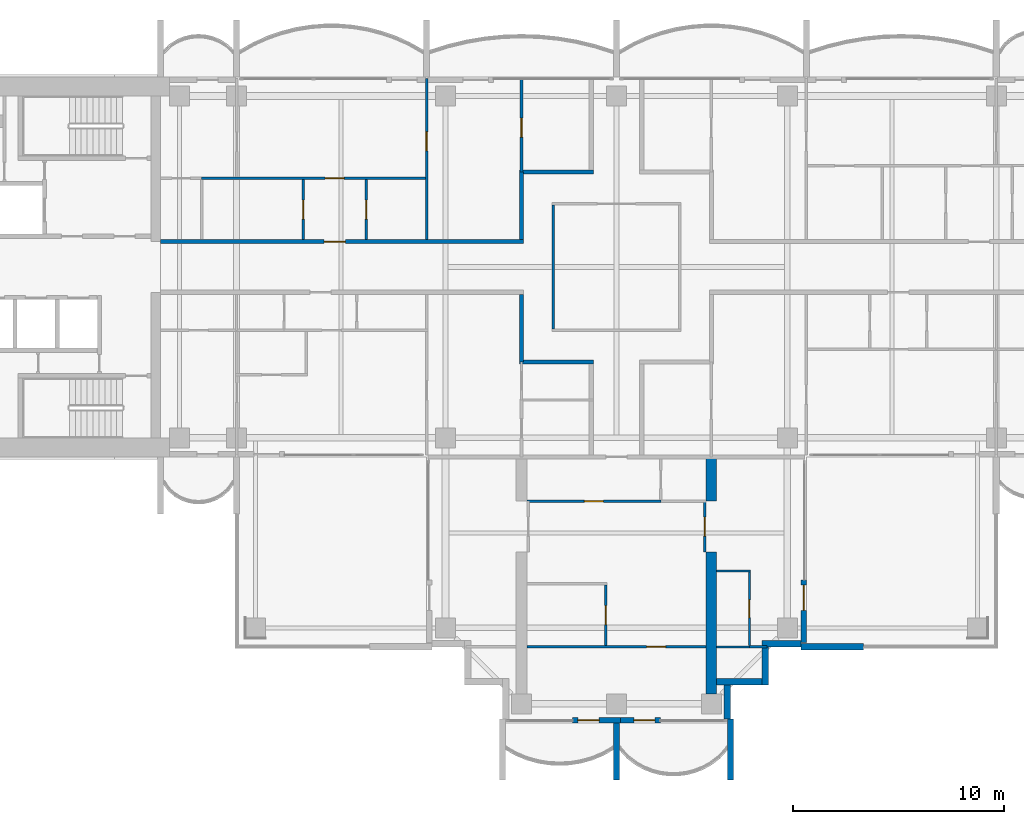
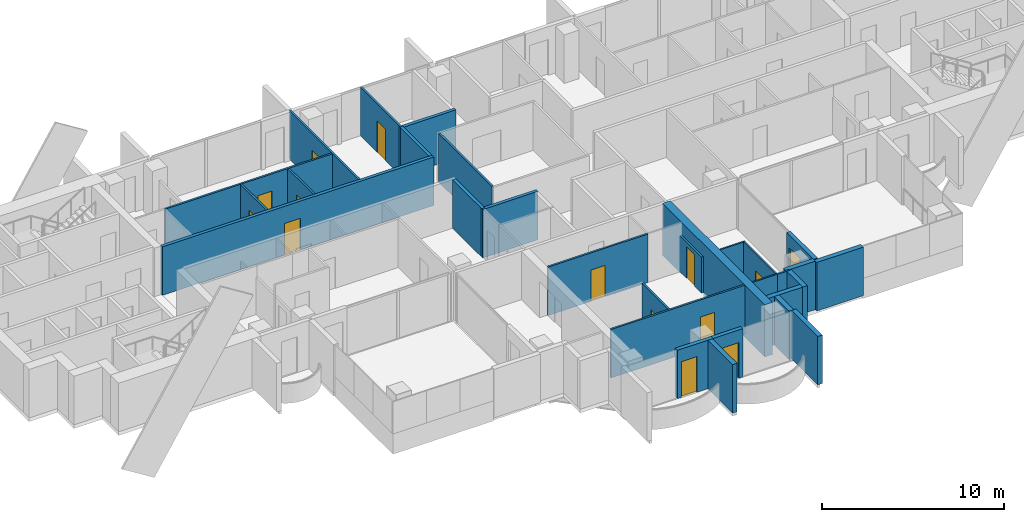
# One storey, part 10 of 17: 30 walls, 14 doors, 14 openings.
"""IFC4 building model written with IfcOpenShell, lengths in metres."""

import ifcopenshell
import ifcopenshell.guid

model = None  # the IFC model being written
_history = None  # IfcOwnerHistory: only IFC2X3 demands one
_inside = {}  # id of a spatial element -> (the spatial element, [elements in it])
_under = {}  # id of a project, library or spatial element -> (it, [spatial elements below it])
_declared = {}  # id of a project -> (the project, [libraries it declares])
_typed = {}  # id of a type object -> (the type object, [elements of that type])
_made_of = {}  # id of a material, layer set ... -> (it, [elements and type objects made of it])


def new_model(schema):
    """Start an empty IFC model of exactly this schema.

    Asked for "IFC4X3", IfcOpenShell would pick the latest addendum, in which some entities
    have other attributes; the version numbers below select the first issue.
    IFC2X3 requires an IfcOwnerHistory on every rooted entity: one is made here for all.
    """
    global model, _history
    if schema == "IFC4X3":
        model = ifcopenshell.file(schema_version=(4, 3, 0, 0))
    else:
        model = ifcopenshell.file(schema=schema)
    _inside.clear()
    _under.clear()
    _declared.clear()
    _typed.clear()
    _made_of.clear()
    _history = None
    if model.schema == "IFC2X3":
        org = make("IfcOrganization", Name="unknown")
        user = make(
            "IfcPersonAndOrganization",
            ThePerson=make("IfcPerson", FamilyName="unknown"),
            TheOrganization=org,
        )
        app = make(
            "IfcApplication",
            ApplicationDeveloper=org,
            Version="unknown",
            ApplicationFullName="unknown",
            ApplicationIdentifier="unknown",
        )
        _history = make(
            "IfcOwnerHistory",
            OwningUser=user,
            OwningApplication=app,
            ChangeAction="ADDED",
            CreationDate=0,
        )
    return model


def make(cls, **values):
    """One entity of the class cls with the attributes given. An attribute that is None is left unset."""
    return model.create_entity(
        cls, **{name: value for name, value in values.items() if value is not None}
    )


def rooted(cls, **values):
    """An entity with a GlobalId (a new one), such as an element, a storey or a relation."""
    return make(cls, GlobalId=ifcopenshell.guid.new(), OwnerHistory=_history, **values)


def si_unit(unit_type, name, prefix=None):
    """IfcSIUnit, for example si_unit("LENGTHUNIT", "METRE", prefix="MILLI")."""
    return make("IfcSIUnit", UnitType=unit_type, Prefix=prefix, Name=name)


def assignment(units):
    """IfcUnitAssignment: the units of a project."""
    return None if units is None else make("IfcUnitAssignment", Units=units)


def point(xyz):
    """IfcCartesianPoint."""
    return None if xyz is None else make("IfcCartesianPoint", Coordinates=xyz)


def direction(xyz):
    """IfcDirection."""
    return None if xyz is None else make("IfcDirection", DirectionRatios=xyz)


def frame(location, z_axis=None, x_axis=None):
    """IfcAxis2Placement3D, a coordinate frame: its origin and axes. An axis left out is left unset."""
    return make(
        "IfcAxis2Placement3D",
        Location=point(location),
        Axis=direction(z_axis),
        RefDirection=direction(x_axis),
    )


def frame_2d(location, x_axis=None):
    """IfcAxis2Placement2D, a coordinate frame in the plane: its origin and x axis."""
    return make(
        "IfcAxis2Placement2D", Location=point(location), RefDirection=direction(x_axis)
    )


def origin():
    """The frame at (0, 0, 0) with its axes left unset."""
    return frame((0.0, 0.0, 0.0))


def place(relative_to, where):
    """IfcLocalPlacement: puts the frame where relative to a parent placement (None: the world)."""
    return make(
        "IfcLocalPlacement", PlacementRelTo=relative_to, RelativePlacement=where
    )


def context(
    kind, dimensions, precision=None, world=None, true_north=None, identifier=None
):
    """IfcGeometricRepresentationContext, for example the 3D "Model" context."""
    return make(
        "IfcGeometricRepresentationContext",
        ContextIdentifier=identifier,
        ContextType=kind,
        CoordinateSpaceDimension=dimensions,
        Precision=precision,
        WorldCoordinateSystem=world,
        TrueNorth=true_north,
    )


def subcontext(parent, identifier, kind, view, scale=None):
    """IfcGeometricRepresentationSubContext, for example "Body" below "Model"."""
    return make(
        "IfcGeometricRepresentationSubContext",
        ContextIdentifier=identifier,
        ContextType=kind,
        ParentContext=parent,
        TargetScale=scale,
        TargetView=view,
    )


def project(units=None, contexts=None):
    """IfcProject with its units and contexts."""
    return rooted(
        "IfcProject",
        Name="project",
        RepresentationContexts=contexts,
        UnitsInContext=assignment(units),
    )


def spatial(cls, under=None, at=None, **own):
    """A site, building, storey or space (cls), placed at a placement, below another one or the project."""
    s = rooted(cls, ObjectPlacement=at, **own)
    if under is not None:
        _under.setdefault(under.id(), (under, []))[1].append(s)
    return s


def polyline(points):
    """IfcPolyline through the points."""
    return make("IfcPolyline", Points=[point(p) for p in points])


def profile(cls, at=None, kind="AREA", **sizes):
    """A parametric profile (cls). Its sizes go by their IFC names, for example OverallWidth=200.0."""
    return make(cls, ProfileType=kind, Position=at, **sizes)


def rectangle(**sizes):
    """IfcRectangleProfileDef."""
    return profile("IfcRectangleProfileDef", **sizes)


def outline(outer, holes=None, kind="AREA"):
    """IfcArbitraryClosedProfileDef: a profile drawn as a closed curve; with holes, ...WithVoids."""
    if holes is None:
        return make("IfcArbitraryClosedProfileDef", ProfileType=kind, OuterCurve=outer)
    return make(
        "IfcArbitraryProfileDefWithVoids",
        ProfileType=kind,
        OuterCurve=outer,
        InnerCurves=holes,
    )


def extrude(swept, where, along, depth):
    """IfcExtrudedAreaSolid: the profile swept, set in the frame where, extruded along a direction by depth."""
    return make(
        "IfcExtrudedAreaSolid",
        SweptArea=swept,
        Position=where,
        ExtrudedDirection=direction(along),
        Depth=depth,
    )


def shape(context_of_items, identifier, shape_type, items):
    """IfcShapeRepresentation: the items that make up one representation, for example the "Body"."""
    return make(
        "IfcShapeRepresentation",
        ContextOfItems=context_of_items,
        RepresentationIdentifier=identifier,
        RepresentationType=shape_type,
        Items=items,
    )


def material(Name=None, Category=None):
    """IfcMaterial."""
    return make("IfcMaterial", Name=Name, Category=Category)


def layer(
    of_material, thickness, ventilated=None, Name=None, Category=None, Priority=None
):
    """IfcMaterialLayer: one layer of a wall or slab, of a material (None: an air gap)."""
    return make(
        "IfcMaterialLayer",
        Material=of_material,
        LayerThickness=thickness,
        IsVentilated=ventilated,
        Name=Name,
        Category=Category,
        Priority=Priority,
    )


def layer_set(layers, Name=None):
    """IfcMaterialLayerSet."""
    return make("IfcMaterialLayerSet", MaterialLayers=layers, LayerSetName=Name)


def material_profile(
    of_material, cross_section, Name=None, Category=None, Priority=None
):
    """IfcMaterialProfile: a cross section and its material."""
    return make(
        "IfcMaterialProfile",
        Name=Name,
        Material=of_material,
        Profile=cross_section,
        Priority=Priority,
        Category=Category,
    )


def profile_set(profiles, Name=None, composite=None):
    """IfcMaterialProfileSet."""
    return make(
        "IfcMaterialProfileSet",
        Name=Name,
        MaterialProfiles=profiles,
        CompositeProfile=composite,
    )


def made_of(thing, what):
    """Note that an element or type object is made of a material, layer set ...; save() writes the relation."""
    if what is not None:
        _made_of.setdefault(what.id(), (what, []))[1].append(thing)
    return thing


def type_object(cls, material=None, **own):
    """A type object (cls), such as IfcWallType, which elements share."""
    return made_of(rooted(cls, **own), material)


def element(
    cls,
    number,
    at=None,
    inside=None,
    cuts=None,
    type_object=None,
    material=None,
    context=None,
    identifier="Body",
    shape_type=None,
    held_by="IfcProductDefinitionShape",
    body=None,
    shapes=None,
    **own,
):
    """One element of the class cls, such as IfcWall. Its Tag is "e" and its number.

    at: its placement. inside: the storey or other place that contains it. cuts: it is an
    opening in that element (IfcRelVoidsElement). A single representation is given by context,
    identifier, shape_type and body (its items); several are given by shapes. held_by: the class
    of the entity that holds the representations. save() writes the other relations.
    """
    e = rooted(cls, Tag="e%d" % number, ObjectPlacement=at, **own)
    if body is not None:
        shapes = [shape(context, identifier, shape_type, body)]
    if shapes is not None:
        e.Representation = make(held_by, Representations=shapes)
    if inside is not None:
        _inside.setdefault(inside.id(), (inside, []))[1].append(e)
    if cuts is not None:
        rooted(
            "IfcRelVoidsElement", RelatingBuildingElement=cuts, RelatedOpeningElement=e
        )
    if type_object is not None:
        _typed.setdefault(type_object.id(), (type_object, []))[1].append(e)
    return made_of(e, material)


def fill(opening, filler):
    """IfcRelFillsElement: the door or window that sits in an opening."""
    return rooted(
        "IfcRelFillsElement",
        RelatingOpeningElement=opening,
        RelatedBuildingElement=filler,
    )


def aggregate(whole, parts):
    """IfcRelAggregates: a whole, such as a stair, and the parts it consists of."""
    return rooted("IfcRelAggregates", RelatingObject=whole, RelatedObjects=parts)


def save(model, path):
    """Write the relations noted so far, then the file.

    IfcRelAggregates (storeys below a building ...), IfcRelContainedInSpatialStructure (elements
    in a storey), IfcRelDefinesByType, IfcRelAssociatesMaterial and IfcRelDeclares: one each for
    every whole, place, type object, material and project.
    """
    for whole, parts in _under.values():
        aggregate(whole, parts)
    for where, things in _inside.values():
        rooted(
            "IfcRelContainedInSpatialStructure",
            RelatedElements=things,
            RelatingStructure=where,
        )
    for kind, things in _typed.values():
        rooted("IfcRelDefinesByType", RelatedObjects=things, RelatingType=kind)
    for what, things in _made_of.values():
        rooted("IfcRelAssociatesMaterial", RelatedObjects=things, RelatingMaterial=what)
    for by, libraries in _declared.values():
        rooted("IfcRelDeclares", RelatingContext=by, RelatedDefinitions=libraries)
    model.write(path)


model = new_model("IFC4")

# Units and contexts
model_context = context("Model", 3, precision=1e-05, world=origin(), true_north=direction((0.0, 1.0)))
body_context = subcontext(model_context, "Body", "Model", "MODEL_VIEW")
ifc_project = project(units=[si_unit("LENGTHUNIT", "METRE"), si_unit("AREAUNIT", "SQUARE_METRE"), si_unit("VOLUMEUNIT", "CUBIC_METRE"), si_unit("PLANEANGLEUNIT", "RADIAN"), si_unit("MASSUNIT", "GRAM", prefix="KILO")], contexts=[model_context])

# Site, building, storey
site_placement = place(None, origin())
site = spatial("IfcSite", under=ifc_project, at=site_placement, CompositionType="ELEMENT")
building_placement = place(site_placement, origin())
building = spatial("IfcBuilding", under=site, at=building_placement, Name="Perihelion Cross Residences", CompositionType="ELEMENT")
storey_placement = place(building_placement, frame((0.0, 0.0, 198.10009765625)))
storey = spatial("IfcBuildingStorey", under=building, at=storey_placement, Name="L49", CompositionType="ELEMENT", Elevation=198.10009765625)

# Wall, opening, door
ifc_material_1 = material(Name="Plasterboard partition")
ifc_layer_1 = layer(ifc_material_1, 0.199951171875)
ifc_layer_set_1 = layer_set([ifc_layer_1], Name="Apartment separation wall 200")
wall_type_1 = type_object("IfcWallType", Name="Apartment separation wall 200", PredefinedType="PARTITIONING", material=ifc_layer_set_1)
wall_1_placement = place(storey_placement, frame((-21.60009765625, 1.199951171875, 0.0), z_axis=(0.0, 0.0, 1.0), x_axis=(1.0, 0.0, 0.0)))
wall_1 = element("IfcWall", 1, at=wall_1_placement, inside=storey, type_object=wall_type_1, Name="Partition L49 W013", PredefinedType="PARTITIONING", context=body_context, shape_type="SweptSolid", body=[
    extrude(rectangle(XDim=17.2001953125, YDim=0.199951171875, at=frame_2d((8.60009765625, 0.0))), origin(), (0.0, 0.0, 1.0), 3.25),
])
opening_1_placement = place(wall_1_placement, frame((7.75, 0.0, 0.0)))
opening_1 = element("IfcOpeningElement", 2, at=opening_1_placement, cuts=wall_1, Name="Opening L49.A40", PredefinedType="OPENING", context=body_context, shape_type="SweptSolid", body=[
    extrude(rectangle(XDim=1.0, YDim=2.10009765625, at=frame_2d((0.5, 1.050048828125))), frame((0.0, 0.10986328125, 0.0), z_axis=(0.0, -1.0, 0.0), x_axis=(1.0, 0.0, 0.0)), (0.0, 0.0, 1.0), 0.219970703125),
])
ifc_material_2 = material(Name="Timber door leaf", Category="wood")
door_type_1 = type_object("IfcDoorType", Name="Flat entrance door 1000 x 2100", OperationType="SINGLE_SWING_LEFT", PredefinedType="DOOR", material=ifc_material_2)
door_1_placement = place(opening_1_placement, origin())
door_1 = element("IfcDoor", 3, at=door_1_placement, inside=storey, type_object=door_type_1, Name="Door L49.A40", OperationType="SINGLE_SWING_RIGHT", OverallHeight=2.10009765625, OverallWidth=1.0, PredefinedType="DOOR", context=body_context, shape_type="SweptSolid", body=[
    extrude(rectangle(XDim=1.0, YDim=2.10009765625, at=frame_2d((0.5, 1.050048828125))), frame((0.0, 0.02490234375, 0.0), z_axis=(0.0, -1.0, 0.0), x_axis=(1.0, 0.0, 0.0)), (0.0, 0.0, 1.0), 0.050048828125),
])
fill(opening_1, door_1)

# Walls
wall_2_placement = place(storey_placement, frame((-4.5, 1.300048828125, 0.0), z_axis=(0.0, 0.0, 1.0), x_axis=(0.0, 1.0, 0.0)))
element("IfcWall", 4, at=wall_2_placement, inside=storey, type_object=wall_type_1, Name="Partition L49 W014", PredefinedType="PARTITIONING", context=body_context, shape_type="SweptSolid", body=[
    extrude(rectangle(XDim=3.199951171875, YDim=0.199951171875, at=frame_2d((1.60009765625, 0.0))), origin(), (0.0, 0.0, 1.0), 3.25),
])
wall_3_placement = place(storey_placement, frame((-4.60009765625, 4.5, 0.0), z_axis=(0.0, 0.0, 1.0), x_axis=(1.0, 0.0, 0.0)))
element("IfcWall", 5, at=wall_3_placement, inside=storey, type_object=wall_type_1, Name="Partition L49 W015", PredefinedType="PARTITIONING", context=body_context, shape_type="SweptSolid", body=[
    extrude(rectangle(XDim=3.5, YDim=0.199951171875, at=frame_2d((1.75, 0.0))), origin(), (0.0, 0.0, 1.0), 3.25),
])
wall_4_placement = place(storey_placement, frame((-4.5, -4.5, 0.0), z_axis=(0.0, 0.0, 1.0), x_axis=(0.0, 1.0, 0.0)))
element("IfcWall", 6, at=wall_4_placement, inside=storey, type_object=wall_type_1, Name="Partition L49 W018", PredefinedType="PARTITIONING", context=body_context, shape_type="SweptSolid", body=[
    extrude(rectangle(XDim=3.199951171875, YDim=0.199951171875, at=frame_2d((1.60009765625, 0.0))), origin(), (0.0, 0.0, 1.0), 3.25),
])
wall_5_placement = place(storey_placement, frame((-1.10009765625, -4.5, 0.0), z_axis=(0.0, 0.0, 1.0), x_axis=(-1.0, 0.0, 0.0)))
element("IfcWall", 7, at=wall_5_placement, inside=storey, type_object=wall_type_1, Name="Partition L49 W020", PredefinedType="PARTITIONING", context=body_context, shape_type="SweptSolid", body=[
    extrude(rectangle(XDim=3.5, YDim=0.199951171875, at=frame_2d((1.75, 0.0))), origin(), (0.0, 0.0, 1.0), 3.25),
])

# Wall, opening, door
ifc_material_3 = material(Name="Concrete C30/37, bronze-clad", Category="concrete")
ifc_layer_2 = layer(ifc_material_3, 0.25)
ifc_layer_set_2 = layer_set([ifc_layer_2], Name="Bronze-clad pier wall 250")
wall_type_2 = type_object("IfcWallType", Name="Bronze-clad pier wall 250", PredefinedType="SOLIDWALL", material=ifc_layer_set_2)
wall_6_placement = place(storey_placement, frame((-2.074951171875, -21.47509765625, 0.0), z_axis=(0.0, 0.0, 1.0), x_axis=(1.0, 0.0, 0.0)))
wall_6 = element("IfcWall", 8, at=wall_6_placement, inside=storey, type_object=wall_type_2, Name="Wall FW1 L49 south tip south bay 1 pier", PredefinedType="SOLIDWALL", context=body_context, shape_type="SweptSolid", body=[
    extrude(rectangle(XDim=2.27490234375, YDim=0.25, at=frame_2d((1.137451171875, 0.0))), origin(), (0.0, 0.0, 1.0), 3.25),
])
opening_2_placement = place(wall_6_placement, frame((0.25, 0.0, 0.0)))
opening_2 = element("IfcOpeningElement", 9, at=opening_2_placement, cuts=wall_6, Name="Opening L49.E10", PredefinedType="OPENING", context=body_context, shape_type="SweptSolid", body=[
    extrude(rectangle(XDim=1.0, YDim=2.39990234375, at=frame_2d((0.5, 1.199951171875))), frame((0.0, 0.135009765625, 0.0), z_axis=(0.0, -1.0, 0.0), x_axis=(1.0, 0.0, 0.0)), (0.0, 0.0, 1.0), 0.27001953125),
])
ifc_material_4 = material(Name="Bronze anodised aluminium, glazed", Category="aluminium")
door_type_2 = type_object("IfcDoorType", Name="Balcony door 1000 x 2400", OperationType="NOTDEFINED", PredefinedType="DOOR", material=ifc_material_4)
door_2_placement = place(opening_2_placement, origin())
door_2 = element("IfcDoor", 10, at=door_2_placement, inside=storey, type_object=door_type_2, Name="Door L49.E10 south tip south bay 1", OperationType="SINGLE_SWING_RIGHT", OverallHeight=2.39990234375, OverallWidth=1.0, PredefinedType="DOOR", context=body_context, shape_type="SweptSolid", body=[
    extrude(rectangle(XDim=1.0, YDim=2.39990234375, at=frame_2d((0.5, 1.199951171875))), frame((0.0, 0.02490234375, 0.0), z_axis=(0.0, -1.0, 0.0), x_axis=(1.0, 0.0, 0.0)), (0.0, 0.0, 1.0), 0.050048828125),
])
fill(opening_2, door_2)

wall_7_placement = place(storey_placement, frame((0.199951171875, -21.47509765625, 0.0), z_axis=(0.0, 0.0, 1.0), x_axis=(1.0, 0.0, 0.0)))
wall_7 = element("IfcWall", 11, at=wall_7_placement, inside=storey, type_object=wall_type_2, Name="Wall FW1 L49 south tip south bay 2 pier", PredefinedType="SOLIDWALL", context=body_context, shape_type="SweptSolid", body=[
    extrude(rectangle(XDim=1.875, YDim=0.25, at=frame_2d((0.9375, 0.0))), origin(), (0.0, 0.0, 1.0), 3.25),
])
opening_3_placement = place(wall_7_placement, frame((0.625, 0.0, 0.0)))
opening_3 = element("IfcOpeningElement", 12, at=opening_3_placement, cuts=wall_7, Name="Opening L49.E11", PredefinedType="OPENING", context=body_context, shape_type="SweptSolid", body=[
    extrude(rectangle(XDim=1.0, YDim=2.39990234375, at=frame_2d((0.5, 1.199951171875))), frame((0.0, 0.135009765625, 0.0), z_axis=(0.0, -1.0, 0.0), x_axis=(1.0, 0.0, 0.0)), (0.0, 0.0, 1.0), 0.27001953125),
])
door_3_placement = place(opening_3_placement, origin())
door_3 = element("IfcDoor", 13, at=door_3_placement, inside=storey, type_object=door_type_2, Name="Door L49.E11 south tip south bay 2", OperationType="SINGLE_SWING_LEFT", OverallHeight=2.39990234375, OverallWidth=1.0, PredefinedType="DOOR", context=body_context, shape_type="SweptSolid", body=[
    extrude(rectangle(XDim=1.0, YDim=2.39990234375, at=frame_2d((0.5, 1.199951171875))), frame((0.0, 0.02490234375, 0.0), z_axis=(0.0, -1.0, 0.0), x_axis=(1.0, 0.0, 0.0)), (0.0, 0.0, 1.0), 0.050048828125),
])
fill(opening_3, door_3)

wall_8_placement = place(storey_placement, frame((8.875, -17.800048828125, 0.0), z_axis=(0.0, 0.0, 1.0), x_axis=(0.0, 1.0, 0.0)))
wall_8 = element("IfcWall", 14, at=wall_8_placement, inside=storey, type_object=wall_type_2, Name="Wall FW1 L49 south side east bay 1 pier", PredefinedType="SOLIDWALL", context=body_context, shape_type="SweptSolid", body=[
    extrude(rectangle(XDim=2.97509765625, YDim=0.25, at=frame_2d((1.487548828125, 0.0))), origin(), (0.0, 0.0, 1.0), 3.25),
])
opening_4_placement = place(wall_8_placement, frame((1.52490234375, 0.0, 0.0)))
opening_4 = element("IfcOpeningElement", 15, at=opening_4_placement, cuts=wall_8, Name="Opening L49.E12", PredefinedType="OPENING", context=body_context, shape_type="SweptSolid", body=[
    extrude(rectangle(XDim=1.199951171875, YDim=2.39990234375, at=frame_2d((0.60009765625, 1.199951171875))), frame((0.0, 0.135009765625, 0.0), z_axis=(0.0, -1.0, 0.0), x_axis=(1.0, 0.0, 0.0)), (0.0, 0.0, 1.0), 0.27001953125),
])
ifc_material_5 = material(Name="Bronze anodised aluminium, glazed", Category="aluminium")
door_type_3 = type_object("IfcDoorType", Name="Balcony door 1200 x 2400", OperationType="NOTDEFINED", PredefinedType="DOOR", material=ifc_material_5)
door_4_placement = place(opening_4_placement, origin())
door_4 = element("IfcDoor", 16, at=door_4_placement, inside=storey, type_object=door_type_3, Name="Door L49.E12 south side east bay 1", OperationType="SINGLE_SWING_RIGHT", OverallHeight=2.39990234375, OverallWidth=1.199951171875, PredefinedType="DOOR", context=body_context, shape_type="SweptSolid", body=[
    extrude(rectangle(XDim=1.199951171875, YDim=2.39990234375, at=frame_2d((0.60009765625, 1.199951171875))), frame((0.0, 0.02490234375, 0.0), z_axis=(0.0, -1.0, 0.0), x_axis=(1.0, 0.0, 0.0)), (0.0, 0.0, 1.0), 0.050048828125),
])
fill(opening_4, door_4)

# Walls
ifc_material_6 = material(Name="Concrete C30/37, bronze-clad", Category="concrete")
ifc_layer_3 = layer(ifc_material_6, 0.300048828125)
ifc_layer_set_3 = layer_set([ifc_layer_3], Name="Bronze-clad serration wall 300")
wall_type_3 = type_object("IfcWallType", Name="Bronze-clad serration wall 300", PredefinedType="SOLIDWALL", material=ifc_layer_set_3)
wall_9_placement = place(storey_placement, frame((5.25, -21.419921875, 0.0), z_axis=(0.0, 0.0, 1.0), x_axis=(0.0, 1.0, 0.0)))
element("IfcWall", 17, at=wall_9_placement, inside=storey, type_object=wall_type_3, Name="Wall SR1 L49 south corner south-east 1", PredefinedType="SOLIDWALL", context=body_context, shape_type="SweptSolid", body=[
    extrude(rectangle(XDim=1.619873046875, YDim=0.300048828125, at=frame_2d((0.81005859375, 0.0))), origin(), (0.0, 0.0, 1.0), 3.25),
])
wall_10_placement = place(storey_placement, frame((4.75, -19.64990234375, 0.0), z_axis=(0.0, 0.0, 1.0), x_axis=(1.0, 0.0, 0.0)))
element("IfcWall", 18, at=wall_10_placement, inside=storey, type_object=wall_type_3, Name="Wall SR1 L49 south corner south-east 2", PredefinedType="SOLIDWALL", context=body_context, shape_type="SweptSolid", body=[
    extrude(rectangle(XDim=2.14990234375, YDim=0.300048828125, at=frame_2d((1.074951171875, 0.0))), origin(), (0.0, 0.0, 1.0), 3.25),
])
wall_11_placement = place(storey_placement, frame((7.050048828125, -19.800048828125, 0.0), z_axis=(0.0, 0.0, 1.0), x_axis=(0.0, 1.0, 0.0)))
element("IfcWall", 19, at=wall_11_placement, inside=storey, type_object=wall_type_3, Name="Wall SR1 L49 south corner south-east 3", PredefinedType="SOLIDWALL", context=body_context, shape_type="SweptSolid", body=[
    extrude(rectangle(XDim=1.800048828125, YDim=0.300048828125, at=frame_2d((0.89990234375, 0.0))), origin(), (0.0, 0.0, 1.0), 3.25),
])
wall_12_placement = place(storey_placement, frame((6.89990234375, -17.85009765625, 0.0), z_axis=(0.0, 0.0, 1.0), x_axis=(1.0, 0.0, 0.0)))
element("IfcWall", 20, at=wall_12_placement, inside=storey, type_object=wall_type_3, Name="Wall SR1 L49 south corner south-east 4", PredefinedType="SOLIDWALL", context=body_context, shape_type="SweptSolid", body=[
    extrude(rectangle(XDim=1.85009765625, YDim=0.300048828125, at=frame_2d((0.925048828125, 0.0))), origin(), (0.0, 0.0, 1.0), 3.25),
])

# Wall, opening, door
ifc_material_7 = material(Name="Plasterboard partition")
ifc_layer_4 = layer(ifc_material_7, 0.1201171875)
ifc_layer_set_4 = layer_set([ifc_layer_4], Name="Infill panel 120")
wall_type_4 = type_object("IfcWallType", Name="Infill panel 120", PredefinedType="PARTITIONING", material=ifc_layer_set_4)
wall_13_placement = place(storey_placement, frame((4.18994140625, -11.10009765625, 0.0), z_axis=(0.0, 0.0, 1.0), x_axis=(0.0, -1.0, 0.0)))
wall_13 = element("IfcWall", 21, at=wall_13_placement, inside=storey, type_object=wall_type_4, Name="Partition L49 WI01", PredefinedType="PARTITIONING", context=body_context, shape_type="SweptSolid", body=[
    extrude(rectangle(XDim=2.39990234375, YDim=0.1201171875, at=frame_2d((1.199951171875, 0.0))), origin(), (0.0, 0.0, 1.0), 2.39990234375),
])
opening_5_placement = place(wall_13_placement, frame((0.75, 0.0, 0.0)))
opening_5 = element("IfcOpeningElement", 22, at=opening_5_placement, cuts=wall_13, Name="Opening L49.A42", PredefinedType="OPENING", context=body_context, shape_type="SweptSolid", body=[
    extrude(rectangle(XDim=0.89990234375, YDim=2.10009765625, at=frame_2d((0.449951171875, 1.050048828125))), frame((0.0, 0.070068359375, 0.0), z_axis=(0.0, -1.0, 0.0), x_axis=(1.0, 0.0, 0.0)), (0.0, 0.0, 1.0), 0.14013671875),
])
ifc_material_8 = material(Name="Timber door leaf", Category="wood")
door_type_4 = type_object("IfcDoorType", Name="Interior room door 900 x 2100", OperationType="SINGLE_SWING_LEFT", PredefinedType="DOOR", material=ifc_material_8)
door_5_placement = place(opening_5_placement, origin())
door_5 = element("IfcDoor", 23, at=door_5_placement, inside=storey, type_object=door_type_4, Name="Door L49.A42", OperationType="SINGLE_SWING_LEFT", OverallHeight=2.10009765625, OverallWidth=0.89990234375, PredefinedType="DOOR", context=body_context, shape_type="SweptSolid", body=[
    extrude(rectangle(XDim=0.89990234375, YDim=2.10009765625, at=frame_2d((0.449951171875, 1.050048828125))), frame((0.0, 0.02490234375, 0.0), z_axis=(0.0, -1.0, 0.0), x_axis=(1.0, 0.0, 0.0)), (0.0, 0.0, 1.0), 0.050048828125),
])
fill(opening_5, door_5)

# Wall
ifc_material_9 = material(Name="Plasterboard partition")
ifc_layer_5 = layer(ifc_material_9, 0.1201171875)
ifc_layer_set_5 = layer_set([ifc_layer_5], Name="Partition wall 120")
wall_type_5 = type_object("IfcWallType", Name="Partition wall 120", PredefinedType="PARTITIONING", material=ifc_layer_set_5)
wall_14_placement = place(storey_placement, frame((-3.0, 2.93994140625, 0.0), z_axis=(0.0, 0.0, 1.0), x_axis=(0.0, -1.0, 0.0)))
element("IfcWall", 24, at=wall_14_placement, inside=storey, type_object=wall_type_5, Name="Partition L49 W004", PredefinedType="PARTITIONING", context=body_context, shape_type="SweptSolid", body=[
    extrude(rectangle(XDim=5.8798828125, YDim=0.1201171875, at=frame_2d((2.93994140625, 0.0))), origin(), (0.0, 0.0, 1.0), 3.25),
])

# Wall, opening, door
wall_15_placement = place(storey_placement, frame((-11.85009765625, 1.300048828125, 0.0), z_axis=(0.0, 0.0, 1.0), x_axis=(0.0, 1.0, 0.0)))
wall_15 = element("IfcWall", 25, at=wall_15_placement, inside=storey, type_object=wall_type_5, Name="Partition L49 W038", PredefinedType="PARTITIONING", context=body_context, shape_type="SweptSolid", body=[
    extrude(rectangle(XDim=2.83984375, YDim=0.1201171875, at=frame_2d((1.419921875, 0.0))), origin(), (0.0, 0.0, 1.0), 3.25),
])
opening_6_placement = place(wall_15_placement, frame((0.969970703125, 0.0, 0.0)))
opening_6 = element("IfcOpeningElement", 26, at=opening_6_placement, cuts=wall_15, Name="Opening L49.A19", PredefinedType="OPENING", context=body_context, shape_type="SweptSolid", body=[
    extrude(rectangle(XDim=0.89990234375, YDim=2.10009765625, at=frame_2d((0.449951171875, 1.050048828125))), frame((0.0, 0.070068359375, 0.0), z_axis=(0.0, -1.0, 0.0), x_axis=(1.0, 0.0, 0.0)), (0.0, 0.0, 1.0), 0.14013671875),
])
door_6_placement = place(opening_6_placement, origin())
door_6 = element("IfcDoor", 27, at=door_6_placement, inside=storey, type_object=door_type_4, Name="Door L49.A19", OperationType="SINGLE_SWING_RIGHT", OverallHeight=2.10009765625, OverallWidth=0.89990234375, PredefinedType="DOOR", context=body_context, shape_type="SweptSolid", body=[
    extrude(rectangle(XDim=0.89990234375, YDim=2.10009765625, at=frame_2d((0.449951171875, 1.050048828125))), frame((0.0, 0.02490234375, 0.0), z_axis=(0.0, -1.0, 0.0), x_axis=(1.0, 0.0, 0.0)), (0.0, 0.0, 1.0), 0.050048828125),
])
fill(opening_6, door_6)

wall_16_placement = place(storey_placement, frame((-19.64990234375, 4.199951171875, 0.0), z_axis=(0.0, 0.0, 1.0), x_axis=(1.0, 0.0, 0.0)))
wall_16 = element("IfcWall", 28, at=wall_16_placement, inside=storey, type_object=wall_type_5, Name="Partition L49 W039", PredefinedType="PARTITIONING", context=body_context, shape_type="SweptSolid", body=[
    extrude(rectangle(XDim=10.7099609375, YDim=0.1201171875, at=frame_2d((5.35498046875, 0.0))), origin(), (0.0, 0.0, 1.0), 3.25),
])
opening_7_placement = place(wall_16_placement, frame((5.85009765625, 0.0, 0.0)))
opening_7 = element("IfcOpeningElement", 29, at=opening_7_placement, cuts=wall_16, Name="Opening L49.A21", PredefinedType="OPENING", context=body_context, shape_type="SweptSolid", body=[
    extrude(rectangle(XDim=0.89990234375, YDim=2.10009765625, at=frame_2d((0.449951171875, 1.050048828125))), frame((0.0, 0.070068359375, 0.0), z_axis=(0.0, -1.0, 0.0), x_axis=(1.0, 0.0, 0.0)), (0.0, 0.0, 1.0), 0.14013671875),
])
door_7_placement = place(opening_7_placement, origin())
door_7 = element("IfcDoor", 30, at=door_7_placement, inside=storey, type_object=door_type_4, Name="Door L49.A21", OperationType="SINGLE_SWING_LEFT", OverallHeight=2.10009765625, OverallWidth=0.89990234375, PredefinedType="DOOR", context=body_context, shape_type="SweptSolid", body=[
    extrude(rectangle(XDim=0.89990234375, YDim=2.10009765625, at=frame_2d((0.449951171875, 1.050048828125))), frame((0.0, 0.02490234375, 0.0), z_axis=(0.0, -1.0, 0.0), x_axis=(1.0, 0.0, 0.0)), (0.0, 0.0, 1.0), 0.050048828125),
])
fill(opening_7, door_7)

wall_17_placement = place(storey_placement, frame((-9.0, 8.919921875, 0.0), z_axis=(0.0, 0.0, 1.0), x_axis=(0.0, -1.0, 0.0)))
wall_17 = element("IfcWall", 31, at=wall_17_placement, inside=storey, type_object=wall_type_5, Name="Partition L49 W040", PredefinedType="PARTITIONING", context=body_context, shape_type="SweptSolid", body=[
    extrude(rectangle(XDim=7.619873046875, YDim=0.1201171875, at=frame_2d((3.81005859375, 0.0))), origin(), (0.0, 0.0, 1.0), 3.25),
])
opening_8_placement = place(wall_17_placement, frame((2.52001953125, 0.0, 0.0)))
opening_8 = element("IfcOpeningElement", 32, at=opening_8_placement, cuts=wall_17, Name="Opening L49.A22", PredefinedType="OPENING", context=body_context, shape_type="SweptSolid", body=[
    extrude(rectangle(XDim=0.89990234375, YDim=2.10009765625, at=frame_2d((0.449951171875, 1.050048828125))), frame((0.0, 0.070068359375, 0.0), z_axis=(0.0, -1.0, 0.0), x_axis=(1.0, 0.0, 0.0)), (0.0, 0.0, 1.0), 0.14013671875),
])
door_8_placement = place(opening_8_placement, origin())
door_8 = element("IfcDoor", 33, at=door_8_placement, inside=storey, type_object=door_type_4, Name="Door L49.A22", OperationType="SINGLE_SWING_RIGHT", OverallHeight=2.10009765625, OverallWidth=0.89990234375, PredefinedType="DOOR", context=body_context, shape_type="SweptSolid", body=[
    extrude(rectangle(XDim=0.89990234375, YDim=2.10009765625, at=frame_2d((0.449951171875, 1.050048828125))), frame((0.0, 0.02490234375, 0.0), z_axis=(0.0, -1.0, 0.0), x_axis=(1.0, 0.0, 0.0)), (0.0, 0.0, 1.0), 0.050048828125),
])
fill(opening_8, door_8)

wall_18_placement = place(storey_placement, frame((-14.85009765625, 1.300048828125, 0.0), z_axis=(0.0, 0.0, 1.0), x_axis=(0.0, 1.0, 0.0)))
wall_18 = element("IfcWall", 34, at=wall_18_placement, inside=storey, type_object=wall_type_5, Name="Partition L49 W041", PredefinedType="PARTITIONING", context=body_context, shape_type="SweptSolid", body=[
    extrude(rectangle(XDim=2.83984375, YDim=0.1201171875, at=frame_2d((1.419921875, 0.0))), origin(), (0.0, 0.0, 1.0), 3.25),
])
opening_9_placement = place(wall_18_placement, frame((0.969970703125, 0.0, 0.0)))
opening_9 = element("IfcOpeningElement", 35, at=opening_9_placement, cuts=wall_18, Name="Opening L49.A18", PredefinedType="OPENING", context=body_context, shape_type="SweptSolid", body=[
    extrude(rectangle(XDim=0.89990234375, YDim=2.10009765625, at=frame_2d((0.449951171875, 1.050048828125))), frame((0.0, 0.070068359375, 0.0), z_axis=(0.0, -1.0, 0.0), x_axis=(1.0, 0.0, 0.0)), (0.0, 0.0, 1.0), 0.14013671875),
])
door_9_placement = place(opening_9_placement, origin())
door_9 = element("IfcDoor", 36, at=door_9_placement, inside=storey, type_object=door_type_4, Name="Door L49.A18", OperationType="SINGLE_SWING_LEFT", OverallHeight=2.10009765625, OverallWidth=0.89990234375, PredefinedType="DOOR", context=body_context, shape_type="SweptSolid", body=[
    extrude(rectangle(XDim=0.89990234375, YDim=2.10009765625, at=frame_2d((0.449951171875, 1.050048828125))), frame((0.0, 0.02490234375, 0.0), z_axis=(0.0, -1.0, 0.0), x_axis=(1.0, 0.0, 0.0)), (0.0, 0.0, 1.0), 0.050048828125),
])
fill(opening_9, door_9)

wall_19_placement = place(storey_placement, frame((-4.5, 8.919921875, 0.0), z_axis=(0.0, 0.0, 1.0), x_axis=(0.0, -1.0, 0.0)))
wall_19 = element("IfcWall", 37, at=wall_19_placement, inside=storey, type_object=wall_type_5, Name="Partition L49 W045", PredefinedType="PARTITIONING", context=body_context, shape_type="SweptSolid", body=[
    extrude(rectangle(XDim=4.419921875, YDim=0.1201171875, at=frame_2d((2.2099609375, 0.0))), origin(), (0.0, 0.0, 1.0), 3.25),
])
opening_10_placement = place(wall_19_placement, frame((1.8701171875, 0.0, 0.0)))
opening_10 = element("IfcOpeningElement", 38, at=opening_10_placement, cuts=wall_19, Name="Opening L49.A17", PredefinedType="OPENING", context=body_context, shape_type="SweptSolid", body=[
    extrude(rectangle(XDim=0.89990234375, YDim=2.10009765625, at=frame_2d((0.449951171875, 1.050048828125))), frame((0.0, 0.070068359375, 0.0), z_axis=(0.0, -1.0, 0.0), x_axis=(1.0, 0.0, 0.0)), (0.0, 0.0, 1.0), 0.14013671875),
])
door_10_placement = place(opening_10_placement, origin())
door_10 = element("IfcDoor", 39, at=door_10_placement, inside=storey, type_object=door_type_4, Name="Door L49.A17", OperationType="SINGLE_SWING_LEFT", OverallHeight=2.10009765625, OverallWidth=0.89990234375, PredefinedType="DOOR", context=body_context, shape_type="SweptSolid", body=[
    extrude(rectangle(XDim=0.89990234375, YDim=2.10009765625, at=frame_2d((0.449951171875, 1.050048828125))), frame((0.0, 0.02490234375, 0.0), z_axis=(0.0, -1.0, 0.0), x_axis=(1.0, 0.0, 0.0)), (0.0, 0.0, 1.0), 0.050048828125),
])
fill(opening_10, door_10)

wall_20_placement = place(storey_placement, frame((2.10009765625, -11.10009765625, 0.0), z_axis=(0.0, 0.0, 1.0), x_axis=(-1.0, 0.0, 0.0)))
wall_20 = element("IfcWall", 40, at=wall_20_placement, inside=storey, type_object=wall_type_5, Name="Partition L49 W060", PredefinedType="PARTITIONING", context=body_context, shape_type="SweptSolid", body=[
    extrude(rectangle(XDim=6.35009765625, YDim=0.1201171875, at=frame_2d((3.175048828125, 0.0))), origin(), (0.0, 0.0, 1.0), 3.25),
])
opening_11_placement = place(wall_20_placement, frame((2.72509765625, 0.0, 0.0)))
opening_11 = element("IfcOpeningElement", 41, at=opening_11_placement, cuts=wall_20, Name="Opening L49.A34", PredefinedType="OPENING", context=body_context, shape_type="SweptSolid", body=[
    extrude(rectangle(XDim=0.89990234375, YDim=2.10009765625, at=frame_2d((0.449951171875, 1.050048828125))), frame((0.0, 0.070068359375, 0.0), z_axis=(0.0, -1.0, 0.0), x_axis=(1.0, 0.0, 0.0)), (0.0, 0.0, 1.0), 0.14013671875),
])
door_11_placement = place(opening_11_placement, origin())
door_11 = element("IfcDoor", 42, at=door_11_placement, inside=storey, type_object=door_type_4, Name="Door L49.A34", OperationType="SINGLE_SWING_RIGHT", OverallHeight=2.10009765625, OverallWidth=0.89990234375, PredefinedType="DOOR", context=body_context, shape_type="SweptSolid", body=[
    extrude(rectangle(XDim=0.89990234375, YDim=2.10009765625, at=frame_2d((0.449951171875, 1.050048828125))), frame((0.0, 0.02490234375, 0.0), z_axis=(0.0, -1.0, 0.0), x_axis=(1.0, 0.0, 0.0)), (0.0, 0.0, 1.0), 0.050048828125),
])
fill(opening_11, door_11)

wall_21_placement = place(storey_placement, frame((-0.5, -17.93994140625, 0.0), z_axis=(0.0, 0.0, 1.0), x_axis=(0.0, 1.0, 0.0)))
wall_21 = element("IfcWall", 43, at=wall_21_placement, inside=storey, type_object=wall_type_5, Name="Partition L49 W062", PredefinedType="PARTITIONING", context=body_context, shape_type="SweptSolid", body=[
    extrude(rectangle(XDim=2.8798828125, YDim=0.1201171875, at=frame_2d((1.43994140625, 0.0))), origin(), (0.0, 0.0, 1.0), 3.25),
])
opening_12_placement = place(wall_21_placement, frame((0.989990234375, 0.0, 0.0)))
opening_12 = element("IfcOpeningElement", 44, at=opening_12_placement, cuts=wall_21, Name="Opening L49.A35", PredefinedType="OPENING", context=body_context, shape_type="SweptSolid", body=[
    extrude(rectangle(XDim=0.89990234375, YDim=2.10009765625, at=frame_2d((0.449951171875, 1.050048828125))), frame((0.0, 0.070068359375, 0.0), z_axis=(0.0, -1.0, 0.0), x_axis=(1.0, 0.0, 0.0)), (0.0, 0.0, 1.0), 0.14013671875),
])
door_12_placement = place(opening_12_placement, origin())
door_12 = element("IfcDoor", 45, at=door_12_placement, inside=storey, type_object=door_type_4, Name="Door L49.A35", OperationType="SINGLE_SWING_LEFT", OverallHeight=2.10009765625, OverallWidth=0.89990234375, PredefinedType="DOOR", context=body_context, shape_type="SweptSolid", body=[
    extrude(rectangle(XDim=0.89990234375, YDim=2.10009765625, at=frame_2d((0.449951171875, 1.050048828125))), frame((0.0, 0.02490234375, 0.0), z_axis=(0.0, -1.0, 0.0), x_axis=(1.0, 0.0, 0.0)), (0.0, 0.0, 1.0), 0.050048828125),
])
fill(opening_12, door_12)

wall_22_placement = place(storey_placement, frame((4.25, -18.0, 0.0), z_axis=(0.0, 0.0, 1.0), x_axis=(-1.0, 0.0, 0.0)))
wall_22 = element("IfcWall", 46, at=wall_22_placement, inside=storey, type_object=wall_type_5, Name="Partition L49 W064", PredefinedType="PARTITIONING", context=body_context, shape_type="SweptSolid", body=[
    extrude(rectangle(XDim=8.5, YDim=0.1201171875, at=frame_2d((4.25, 0.0))), origin(), (0.0, 0.0, 1.0), 3.25),
])
opening_13_placement = place(wall_22_placement, frame((1.925048828125, 0.0, 0.0)))
opening_13 = element("IfcOpeningElement", 47, at=opening_13_placement, cuts=wall_22, Name="Opening L49.A36", PredefinedType="OPENING", context=body_context, shape_type="SweptSolid", body=[
    extrude(rectangle(XDim=0.89990234375, YDim=2.10009765625, at=frame_2d((0.449951171875, 1.050048828125))), frame((0.0, 0.070068359375, 0.0), z_axis=(0.0, -1.0, 0.0), x_axis=(1.0, 0.0, 0.0)), (0.0, 0.0, 1.0), 0.14013671875),
])
door_13_placement = place(opening_13_placement, origin())
door_13 = element("IfcDoor", 48, at=door_13_placement, inside=storey, type_object=door_type_4, Name="Door L49.A36", OperationType="SINGLE_SWING_LEFT", OverallHeight=2.10009765625, OverallWidth=0.89990234375, PredefinedType="DOOR", context=body_context, shape_type="SweptSolid", body=[
    extrude(rectangle(XDim=0.89990234375, YDim=2.10009765625, at=frame_2d((0.449951171875, 1.050048828125))), frame((0.0, 0.02490234375, 0.0), z_axis=(0.0, -1.0, 0.0), x_axis=(1.0, 0.0, 0.0)), (0.0, 0.0, 1.0), 0.050048828125),
])
fill(opening_13, door_13)

# Walls
wall_23_placement = place(storey_placement, frame((7.1201171875, -18.0, 0.0), z_axis=(0.0, 0.0, 1.0), x_axis=(-1.0, 0.0, 0.0)))
element("IfcWall", 49, at=wall_23_placement, inside=storey, type_object=wall_type_5, Name="Partition L49 W067", PredefinedType="PARTITIONING", context=body_context, shape_type="SweptSolid", body=[
    extrude(rectangle(XDim=0.820068359375, YDim=0.1201171875, at=frame_2d((0.41015625, 0.0))), origin(), (0.0, 0.0, 1.0), 3.25),
])
ifc_material_10 = material(Name="Precast concrete C50/60", Category="concrete")
ifc_layer_6 = layer(ifc_material_10, 0.300048828125)
ifc_layer_set_6 = layer_set([ifc_layer_6], Name="Precast concrete C50/60 blade wall 300")
wall_type_6 = type_object("IfcWallType", Name="Precast concrete C50/60 blade wall 300", PredefinedType="SOLIDWALL", material=ifc_layer_set_6)
wall_24_placement = place(storey_placement, frame((0.0, -21.60009765625, 0.0), z_axis=(0.0, 0.0, 1.0), x_axis=(0.0, -1.0, 0.0)))
element("IfcWall", 50, at=wall_24_placement, inside=storey, type_object=wall_type_6, Name="Wall BL1 L49 no. 8", PredefinedType="SOLIDWALL", context=body_context, shape_type="SweptSolid", body=[
    extrude(rectangle(XDim=2.699951171875, YDim=0.300048828125, at=frame_2d((1.35009765625, 0.0))), origin(), (0.0, 0.0, 1.0), 3.25),
])
wall_25_placement = place(storey_placement, frame((5.39990234375, -21.419921875, 0.0), z_axis=(0.0, 0.0, 1.0), x_axis=(0.0, -1.0, 0.0)))
element("IfcWall", 51, at=wall_25_placement, inside=storey, type_object=wall_type_6, Name="Wall BL1 L49 no. 14", PredefinedType="SOLIDWALL", context=body_context, shape_type="SweptSolid", body=[
    extrude(rectangle(XDim=2.880126953125, YDim=0.300048828125, at=frame_2d((1.43994140625, 0.0))), origin(), (0.0, 0.0, 1.0), 3.25),
])
wall_26_placement = place(storey_placement, frame((8.75, -18.0, 0.0), z_axis=(0.0, 0.0, 1.0), x_axis=(1.0, 0.0, 0.0)))
element("IfcWall", 52, at=wall_26_placement, inside=storey, type_object=wall_type_6, Name="Wall BL1 L49 no. 15", PredefinedType="SOLIDWALL", context=body_context, shape_type="SweptSolid", body=[
    extrude(rectangle(XDim=2.949951171875, YDim=0.300048828125, at=frame_2d((1.47509765625, 0.0))), origin(), (0.0, 0.0, 1.0), 3.25),
])
ifc_material_11 = material(Name="Concrete C60/75", Category="concrete")
ifc_material_profile = material_profile(ifc_material_11, outline(polyline([(0.0, 0.0), (6.72509765625, 0.0), (6.72509765625, 2.64990234375), (9.125, 2.64990234375), (9.125, 0.0), (11.22509765625, 0.0), (11.22509765625, 3.5), (0.0, 3.5), (0.0, 0.0)])), Name="Tip spine wall")
ifc_profile_set = profile_set([ifc_material_profile], Name="Concrete C60/75")
wall_type_7 = type_object("IfcWallType", Name="Tip spine wall 500 with 1 door openings 11225 long 3500 high concrete C60/75", PredefinedType="SHEAR", material=ifc_profile_set)
wall_27_placement = place(storey_placement, frame((4.25, -20.22509765625, -0.25), z_axis=(1.0, 0.0, 0.0), x_axis=(0.0, 1.0, 0.0)))
element("IfcWall", 53, at=wall_27_placement, inside=storey, type_object=wall_type_7, Name="Shear wall SW41 L49 south east", PredefinedType="SHEAR", context=body_context, shape_type="SweptSolid", body=[
    extrude(outline(polyline([(0.0, 0.0), (6.72509765625, 0.0), (6.72509765625, 2.64990234375), (9.125, 2.64990234375), (9.125, 0.0), (11.22509765625, 0.0), (11.22509765625, 3.5), (0.0, 3.5), (0.0, 0.0)])), origin(), (0.0, 0.0, 1.0), 0.5),
])

# Wall, opening, door
ifc_material_12 = material(Name="Plasterboard partition")
ifc_layer_7 = layer(ifc_material_12, 0.10009765625)
ifc_layer_set_7 = layer_set([ifc_layer_7], Name="Wet room wall 100")
wall_type_8 = type_object("IfcWallType", Name="Wet room wall 100", PredefinedType="PARTITIONING", material=ifc_layer_set_7)
wall_28_placement = place(storey_placement, frame((6.300048828125, -17.93994140625, 0.0), z_axis=(0.0, 0.0, 1.0), x_axis=(0.0, 1.0, 0.0)))
wall_28 = element("IfcWall", 54, at=wall_28_placement, inside=storey, type_object=wall_type_8, Name="Partition L49 W065", PredefinedType="PARTITIONING", context=body_context, shape_type="SweptSolid", body=[
    extrude(rectangle(XDim=3.489990234375, YDim=0.10009765625, at=frame_2d((1.7451171875, 0.0))), origin(), (0.0, 0.0, 1.0), 3.25),
])
opening_14_placement = place(wall_28_placement, frame((1.320068359375, 0.0, 0.0)))
opening_14 = element("IfcOpeningElement", 55, at=opening_14_placement, cuts=wall_28, Name="Opening L49.A37", PredefinedType="OPENING", context=body_context, shape_type="SweptSolid", body=[
    extrude(rectangle(XDim=0.85009765625, YDim=2.10009765625, at=frame_2d((0.425048828125, 1.050048828125))), frame((0.0, 0.06005859375, 0.0), z_axis=(0.0, -1.0, 0.0), x_axis=(1.0, 0.0, 0.0)), (0.0, 0.0, 1.0), 0.1201171875),
])
ifc_material_13 = material(Name="Timber door leaf", Category="wood")
door_type_5 = type_object("IfcDoorType", Name="Interior bathroom door 850 x 2100", OperationType="SINGLE_SWING_LEFT", PredefinedType="DOOR", material=ifc_material_13)
door_14_placement = place(opening_14_placement, origin())
door_14 = element("IfcDoor", 56, at=door_14_placement, inside=storey, type_object=door_type_5, Name="Door L49.A37", OperationType="SINGLE_SWING_RIGHT", OverallHeight=2.10009765625, OverallWidth=0.85009765625, PredefinedType="DOOR", context=body_context, shape_type="SweptSolid", body=[
    extrude(rectangle(XDim=0.85009765625, YDim=2.10009765625, at=frame_2d((0.425048828125, 1.050048828125))), frame((0.0, 0.02490234375, 0.0), z_axis=(0.0, -1.0, 0.0), x_axis=(1.0, 0.0, 0.0)), (0.0, 0.0, 1.0), 0.050048828125),
])
fill(opening_14, door_14)

# Walls
wall_29_placement = place(storey_placement, frame((6.35009765625, -14.39990234375, 0.0), z_axis=(0.0, 0.0, 1.0), x_axis=(-1.0, 0.0, 0.0)))
element("IfcWall", 57, at=wall_29_placement, inside=storey, type_object=wall_type_8, Name="Partition L49 W066", PredefinedType="PARTITIONING", context=body_context, shape_type="SweptSolid", body=[
    extrude(rectangle(XDim=1.60009765625, YDim=0.10009765625, at=frame_2d((0.800048828125, 0.0))), origin(), (0.0, 0.0, 1.0), 3.25),
])
wall_30_placement = place(storey_placement, frame((6.300048828125, -18.0, 0.0), z_axis=(0.0, 0.0, 1.0), x_axis=(-1.0, 0.0, 0.0)))
element("IfcWall", 58, at=wall_30_placement, inside=storey, type_object=wall_type_8, Name="Partition L49 W068", PredefinedType="PARTITIONING", context=body_context, shape_type="SweptSolid", body=[
    extrude(rectangle(XDim=1.550048828125, YDim=0.10009765625, at=frame_2d((0.77490234375, 0.0))), origin(), (0.0, 0.0, 1.0), 3.25),
])

save(model, "model.ifc")
